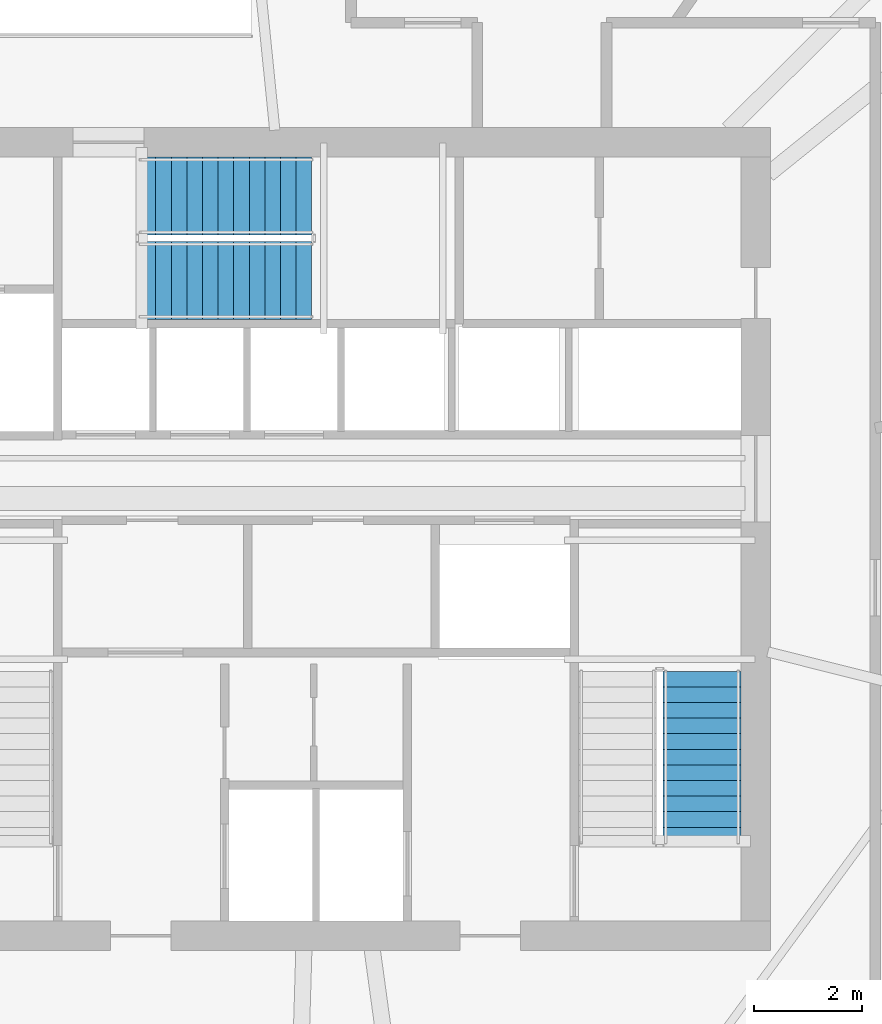
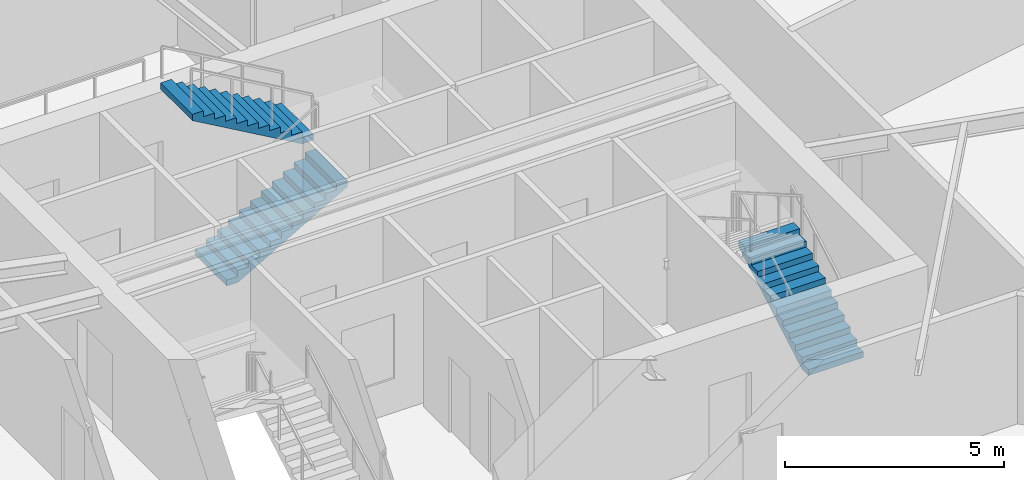
# One storey, part 12 of 13: 3 stair flights, 2 elements without a shape of their own.
"""IFC4 building model written with IfcOpenShell, lengths in metres."""

from ifc_helpers import new_model, si_unit, direction, frame, origin, place, context, subcontext, project, spatial, polyline, outline, extrude, material, type_object, element, aggregate, save


model = new_model("IFC4")

# Units and contexts
model_context = context("Model", 3, precision=1e-05, world=origin(), true_north=direction((0.0, 1.0)))
body_context = subcontext(model_context, "Body", "Model", "MODEL_VIEW")
ifc_project = project(units=[si_unit("LENGTHUNIT", "METRE"), si_unit("AREAUNIT", "SQUARE_METRE"), si_unit("VOLUMEUNIT", "CUBIC_METRE"), si_unit("PLANEANGLEUNIT", "RADIAN"), si_unit("MASSUNIT", "GRAM", prefix="KILO")], contexts=[model_context])

# Site, building, storey
site_placement = place(None, origin())
site = spatial("IfcSite", under=ifc_project, at=site_placement, CompositionType="ELEMENT")
building_placement = place(site_placement, origin())
building = spatial("IfcBuilding", under=site, at=building_placement, Name="Olszyna Solenne Hotel", CompositionType="ELEMENT")
storey_placement = place(building_placement, frame((0.0, 0.0, 200.300048828125)))
storey = spatial("IfcBuildingStorey", under=building, at=storey_placement, Name="L53", CompositionType="ELEMENT", Elevation=200.300048828125)

# Stair, stair flight
ifc_material = material(Name="Concrete C40/50", Category="concrete")
stair_type = type_object("IfcStairType", Name="STR-C1", PredefinedType="TWO_QUARTER_WINDING_STAIR", material=ifc_material)
stair_1_placement = place(storey_placement, origin())
stair_1 = element("IfcStair", 1, at=stair_1_placement, inside=storey, type_object=stair_type, Name="L53 ST2", PredefinedType="TWO_QUARTER_WINDING_STAIR")
stair_flight_type = type_object("IfcStairFlightType", Name="FLT-C1", PredefinedType="STRAIGHT", material=ifc_material)
stair_flight_1_placement = place(storey_placement, frame((45.175048828125, 20.949951171875, 0.0), z_axis=(0.0, 0.0, 1.0), x_axis=(0.0, 1.0, 0.0)))
stair_flight_1 = element("IfcStairFlight", 2, at=stair_flight_1_placement, type_object=stair_flight_type, Name="ST2 flight 1", NumberOfRisers=12, NumberOfTreads=11, PredefinedType="STRAIGHT", RiserHeight=0.166666667, TreadLength=0.29, context=body_context, shape_type="SweptSolid", body=[
    extrude(outline(polyline([(0.0, 0.0), (0.0, 0.166748046875), (0.2900390625, 0.166748046875), (0.2900390625, 0.333251953125), (0.580078125, 0.333251953125), (0.580078125, 0.5), (0.8701171875, 0.5), (0.8701171875, 0.666748046875), (1.159912109375, 0.666748046875), (1.159912109375, 0.833251953125), (1.449951171875, 0.833251953125), (1.449951171875, 1.0), (1.739990234375, 1.0), (1.739990234375, 1.166748046875), (2.030029296875, 1.166748046875), (2.030029296875, 1.333251953125), (2.320068359375, 1.333251953125), (2.320068359375, 1.5), (2.610107421875, 1.5), (2.610107421875, 1.666748046875), (2.89990234375, 1.666748046875), (2.89990234375, 1.833251953125), (3.18994140625, 1.833251953125), (3.18994140625, 2.0), (3.18994140625, 1.660400390625), (0.30078125, 0.0), (0.0, 0.0)])), frame((0.0, 0.72509765625, 0.0), z_axis=(0.0, -1.0, 0.0), x_axis=(1.0, 0.0, 0.0)), (0.0, 0.0, 1.0), 1.449951171875),
])
aggregate(stair_1, [stair_flight_1])

# Stair, stair flights
stair_2_placement = place(storey_placement, origin())
stair_2 = element("IfcStair", 3, at=stair_2_placement, inside=storey, type_object=stair_type, Name="L53 ST3", PredefinedType="TWO_QUARTER_WINDING_STAIR")
stair_flight_2_placement = place(storey_placement, frame((34.72998046875, 31.405029296875, 0.0), z_axis=(0.0, 0.0, 1.0), x_axis=(1.0, 0.0, 0.0)))
stair_flight_2 = element("IfcStairFlight", 4, at=stair_flight_2_placement, type_object=stair_flight_type, Name="ST3 flight 1", NumberOfRisers=12, NumberOfTreads=11, PredefinedType="STRAIGHT", RiserHeight=0.166666667, TreadLength=0.29, context=body_context, shape_type="SweptSolid", body=[
    extrude(outline(polyline([(0.0, 0.0), (0.0, 0.166748046875), (0.2900390625, 0.166748046875), (0.2900390625, 0.333251953125), (0.580078125, 0.333251953125), (0.580078125, 0.5), (0.8701171875, 0.5), (0.8701171875, 0.666748046875), (1.159912109375, 0.666748046875), (1.159912109375, 0.833251953125), (1.449951171875, 0.833251953125), (1.449951171875, 1.0), (1.739990234375, 1.0), (1.739990234375, 1.166748046875), (2.030029296875, 1.166748046875), (2.030029296875, 1.333251953125), (2.320068359375, 1.333251953125), (2.320068359375, 1.5), (2.610107421875, 1.5), (2.610107421875, 1.666748046875), (2.89990234375, 1.666748046875), (2.89990234375, 1.833251953125), (3.18994140625, 1.833251953125), (3.18994140625, 2.0), (3.18994140625, 1.660400390625), (0.30078125, 0.0), (0.0, 0.0)])), frame((0.0, 0.72509765625, 0.0), z_axis=(0.0, -1.0, 0.0), x_axis=(1.0, 0.0, 0.0)), (0.0, 0.0, 1.0), 1.449951171875),
])
stair_flight_3_placement = place(storey_placement, frame((37.919921875, 32.97509765625, 2.0), z_axis=(0.0, 0.0, 1.0), x_axis=(-1.0, 0.0, 0.0)))
stair_flight_3 = element("IfcStairFlight", 5, at=stair_flight_3_placement, type_object=stair_flight_type, Name="ST3 flight 2", NumberOfRisers=12, NumberOfTreads=11, PredefinedType="STRAIGHT", RiserHeight=0.166666667, TreadLength=0.29, context=body_context, shape_type="SweptSolid", body=[
    extrude(outline(polyline([(0.0, 0.0), (0.0, 0.166748046875), (0.2900390625, 0.166748046875), (0.2900390625, 0.333251953125), (0.580078125, 0.333251953125), (0.580078125, 0.5), (0.8701171875, 0.5), (0.8701171875, 0.666748046875), (1.159912109375, 0.666748046875), (1.159912109375, 0.833251953125), (1.449951171875, 0.833251953125), (1.449951171875, 1.0), (1.739990234375, 1.0), (1.739990234375, 1.166748046875), (2.030029296875, 1.166748046875), (2.030029296875, 1.333251953125), (2.320068359375, 1.333251953125), (2.320068359375, 1.5), (2.610107421875, 1.5), (2.610107421875, 1.666748046875), (2.89990234375, 1.666748046875), (2.89990234375, 1.833251953125), (3.18994140625, 1.833251953125), (3.18994140625, 2.0), (3.18994140625, 1.660400390625), (0.30078125, 0.0), (0.0, 0.0)])), frame((0.0, 0.72509765625, 0.0), z_axis=(0.0, -1.0, 0.0), x_axis=(1.0, 0.0, 0.0)), (0.0, 0.0, 1.0), 1.449951171875),
])
aggregate(stair_2, [stair_flight_2, stair_flight_3])

save(model, "model.ifc")
